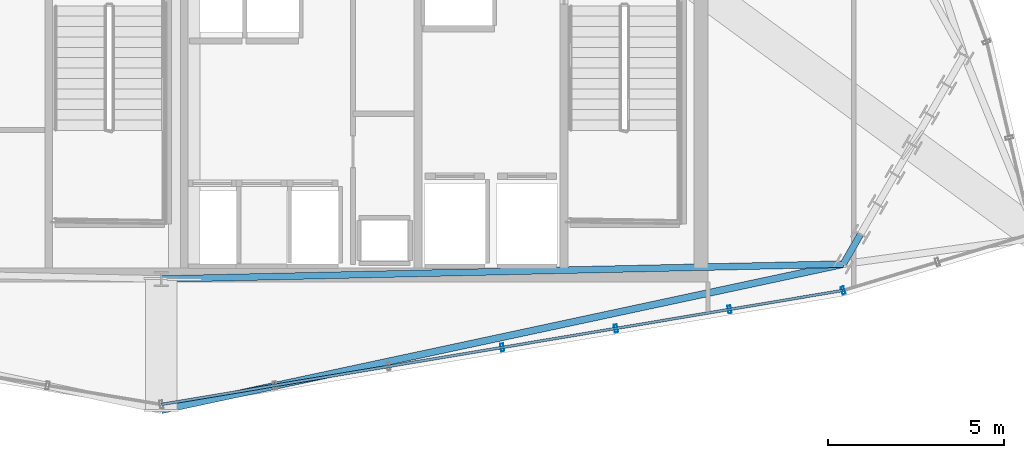
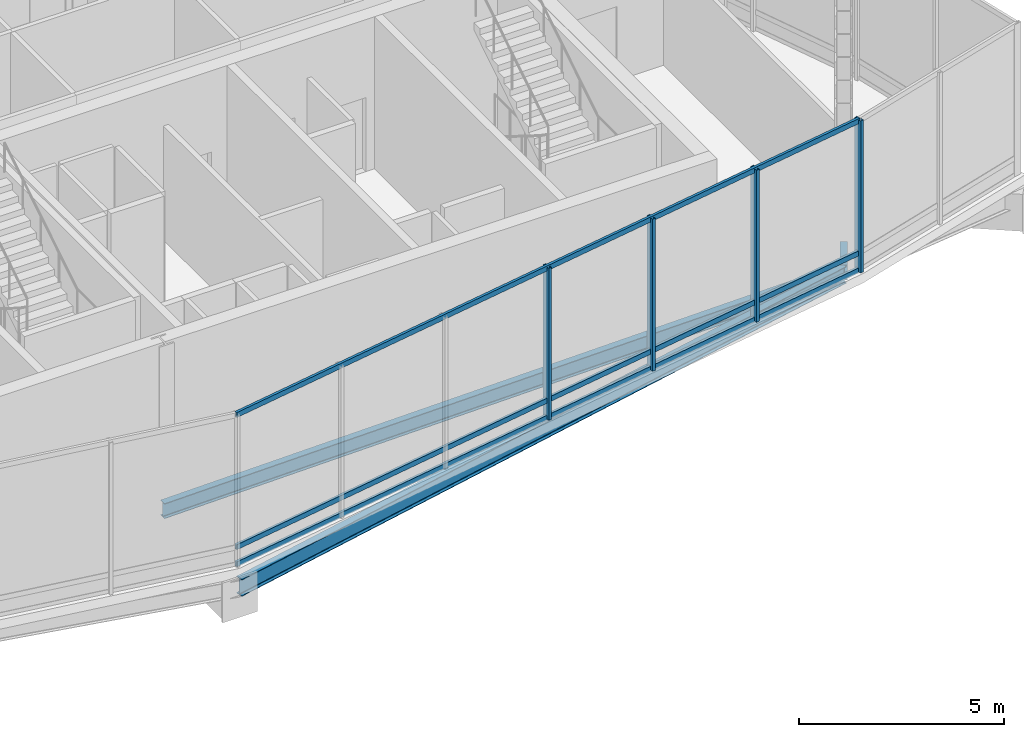
# One storey, part 9 of 29: 7 members, 3 beams, 2 elements without a shape of their own.
"""IFC4 building model written with IfcOpenShell, lengths in metres."""

from ifc_helpers import new_model, si_unit, direction, frame, origin, origin_2d, place, context, subcontext, project, spatial, hollow_rectangle, i_section, extrude, material, layer, layer_set, material_profile, profile_set, type_object, element, aggregate, save


model = new_model("IFC4")

# Units and contexts
model_context = context("Model", 3, precision=1e-05, world=origin(), true_north=direction((0.0, 1.0)))
body_context = subcontext(model_context, "Body", "Model", "MODEL_VIEW")
ifc_project = project(units=[si_unit("LENGTHUNIT", "METRE"), si_unit("AREAUNIT", "SQUARE_METRE"), si_unit("VOLUMEUNIT", "CUBIC_METRE"), si_unit("PLANEANGLEUNIT", "RADIAN"), si_unit("MASSUNIT", "GRAM", prefix="KILO")], contexts=[model_context])

# Site, building, storey
site_placement = place(None, origin())
site = spatial("IfcSite", under=ifc_project, at=site_placement, CompositionType="ELEMENT")
building_placement = place(site_placement, origin())
building = spatial("IfcBuilding", under=site, at=building_placement, Name="Ndaravel Arena Tower", CompositionType="ELEMENT")
storey_placement = place(building_placement, frame((0.0, 0.0, 208.39990234375)))
storey = spatial("IfcBuildingStorey", under=building, at=storey_placement, Name="L50", CompositionType="ELEMENT", Elevation=208.39990234375)

# Beams
ifc_material_1 = material(Name="Steel S355", Category="steel")
ifc_material_profile_1 = material_profile(ifc_material_1, i_section(OverallWidth=0.18994140625, OverallDepth=0.449951171875, WebThickness=0.009521484375, FlangeThickness=0.0146484375, FilletRadius=0.02099609375, at=origin_2d()), Name="IPE 450")
ifc_profile_set_1 = profile_set([ifc_material_profile_1], Name="Steel S355")
beam_type_1 = type_object("IfcBeamType", Name="BM-SPAN-IPE450", PredefinedType="SPANDREL", material=ifc_profile_set_1)
beam_1_placement = place(storey_placement, frame((42.0, 5.47998046875, -0.5048828125), z_axis=(0.99976055023, 0.021882463365, 0.0), x_axis=(-0.021882463365, 0.99976055023, 0.0)))
element("IfcBeam", 1, at=beam_1_placement, inside=storey, type_object=beam_type_1, Name="L50 Perimeter Spandrel Beam SP-01", PredefinedType="SPANDREL", context=body_context, shape_type="SweptSolid", body=[
    extrude(i_section(OverallWidth=0.18994140625, OverallDepth=0.449951171875, WebThickness=0.009521484375, FlangeThickness=0.0146484375, FilletRadius=0.02099609375, at=origin_2d()), origin(), (0.0, 0.0, 1.0), 19.40185546875),
])
beam_2_placement = place(storey_placement, frame((61.397216796875, 5.904541015625, -0.5048828125), z_axis=(0.499808686542, 0.866135830489, 0.0), x_axis=(-0.866135830489, 0.499808686542, 0.0)))
element("IfcBeam", 2, at=beam_2_placement, inside=storey, type_object=beam_type_1, Name="L50 Perimeter Spandrel Beam SP-02", PredefinedType="SPANDREL", context=body_context, shape_type="SweptSolid", body=[
    extrude(i_section(OverallWidth=0.18994140625, OverallDepth=0.449951171875, WebThickness=0.009521484375, FlangeThickness=0.0146484375, FilletRadius=0.02099609375, at=origin_2d()), origin(), (0.0, 0.0, 1.0), 0.98046875),
])
ifc_material_2 = material(Name="Steel S355", Category="steel")
ifc_material_profile_2 = material_profile(ifc_material_2, i_section(OverallWidth=0.199951171875, OverallDepth=0.5, WebThickness=0.01025390625, FlangeThickness=0.01611328125, FilletRadius=0.02099609375, at=origin_2d()), Name="IPE 500")
ifc_profile_set_2 = profile_set([ifc_material_profile_2], Name="Steel S355")
beam_type_2 = type_object("IfcBeamType", Name="BM-SPAN-IPE500", PredefinedType="SPANDREL", material=ifc_profile_set_2)
beam_3_placement = place(storey_placement, frame((42.0, 1.75, -0.52978515625), z_axis=(0.977823121497, 0.209432430788, 0.0), x_axis=(-0.209432430788, 0.977823121497, 0.0)))
element("IfcBeam", 3, at=beam_3_placement, inside=storey, type_object=beam_type_2, Name="L50 Star Facet Edge Beam SEB-2", PredefinedType="SPANDREL", context=body_context, shape_type="SweptSolid", body=[
    extrude(i_section(OverallWidth=0.199951171875, OverallDepth=0.5, WebThickness=0.01025390625, FlangeThickness=0.01611328125, FilletRadius=0.02099609375, at=origin_2d()), origin(), (0.0, 0.0, 1.0), 19.837158203125),
])

# Curtain wall, members
ifc_material_3 = material(Name="Aluminium", Category="aluminium")
ifc_layer = layer(ifc_material_3, 0.179931640625)
ifc_layer_set = layer_set([ifc_layer], Name="Aluminium")
curtain_wall_type = type_object("IfcCurtainWallType", Name="CW-SYS-04", PredefinedType="NOTDEFINED", material=ifc_layer_set)
curtain_wall_1_placement = place(storey_placement, origin())
curtain_wall_1 = element("IfcCurtainWall", 4, at=curtain_wall_1_placement, inside=storey, type_object=curtain_wall_type, Name="L50 Faceted Crystal Curtain Wall CW-L50-E03", PredefinedType="NOTDEFINED")
ifc_material_4 = material(Name="Aluminium", Category="aluminium")
ifc_material_profile_3 = material_profile(ifc_material_4, hollow_rectangle(XDim=0.090087890625, YDim=0.219970703125, WallThickness=0.0048828125, at=origin_2d()), Name="CW MULLION 90x220x5")
ifc_profile_set_3 = profile_set([ifc_material_profile_3], Name="Aluminium")
member_type_1 = type_object("IfcMemberType", Name="MEM-CW-MUL220", PredefinedType="MULLION", material=ifc_profile_set_3)
member_1_placement = place(storey_placement, frame((51.6962890625, 3.5341796875, 0.0), z_axis=(0.0, 0.0, 1.0), x_axis=(0.98629712163, 0.164978749734, 0.0)))
member_1 = element("IfcMember", 5, at=member_1_placement, type_object=member_type_1, Name="CW-L50-E03 Mullion 03", PredefinedType="MULLION", context=body_context, shape_type="SweptSolid", body=[
    extrude(hollow_rectangle(XDim=0.090087890625, YDim=0.219970703125, WallThickness=0.0048828125, at=origin_2d()), origin(), (0.0, 0.0, 1.0), 4.52001953125),
])
member_2_placement = place(storey_placement, frame((54.928466796875, 4.07470703125, 0.0), z_axis=(0.0, 0.0, 1.0), x_axis=(0.98629712163, 0.164978749734, 0.0)))
member_2 = element("IfcMember", 6, at=member_2_placement, type_object=member_type_1, Name="CW-L50-E03 Mullion 04", PredefinedType="MULLION", context=body_context, shape_type="SweptSolid", body=[
    extrude(hollow_rectangle(XDim=0.090087890625, YDim=0.219970703125, WallThickness=0.0048828125, at=origin_2d()), origin(), (0.0, 0.0, 1.0), 4.52001953125),
])
member_3_placement = place(storey_placement, frame((58.16064453125, 4.615478515625, 0.0), z_axis=(0.0, 0.0, 1.0), x_axis=(0.98629712163, 0.164978749734, 0.0)))
member_3 = element("IfcMember", 7, at=member_3_placement, type_object=member_type_1, Name="CW-L50-E03 Mullion 05", PredefinedType="MULLION", context=body_context, shape_type="SweptSolid", body=[
    extrude(hollow_rectangle(XDim=0.090087890625, YDim=0.219970703125, WallThickness=0.0048828125, at=origin_2d()), origin(), (0.0, 0.0, 1.0), 4.52001953125),
])

# Curtain wall, member
curtain_wall_2_placement = place(storey_placement, origin())
curtain_wall_2 = element("IfcCurtainWall", 8, at=curtain_wall_2_placement, inside=storey, type_object=curtain_wall_type, Name="L50 Faceted Crystal Curtain Wall CW-L50-E04", PredefinedType="NOTDEFINED")
member_4_placement = place(storey_placement, frame((61.392578125, 5.156005859375, 0.0), z_axis=(0.0, 0.0, 1.0), x_axis=(0.957576390633, 0.288179555317, 0.0)))
member_4 = element("IfcMember", 9, at=member_4_placement, type_object=member_type_1, Name="CW-L50-E04 Mullion 00", PredefinedType="MULLION", context=body_context, shape_type="SweptSolid", body=[
    extrude(hollow_rectangle(XDim=0.090087890625, YDim=0.219970703125, WallThickness=0.0048828125, at=origin_2d()), origin(), (0.0, 0.0, 1.0), 4.52001953125),
])
aggregate(curtain_wall_2, [member_4])

# Member
ifc_material_5 = material(Name="Aluminium", Category="aluminium")
ifc_material_profile_4 = material_profile(ifc_material_5, hollow_rectangle(XDim=0.074951171875, YDim=0.14990234375, WallThickness=0.00390625, at=origin_2d()), Name="CW TRANSOM 75x150x4")
ifc_profile_set_4 = profile_set([ifc_material_profile_4], Name="Aluminium")
member_type_2 = type_object("IfcMemberType", Name="MEM-CW-TRN150", PredefinedType="USERDEFINED", material=ifc_profile_set_4)
member_5_placement = place(storey_placement, frame((42.0, 1.912109375, 0.0400390625), z_axis=(0.986296429619, 0.16498288675, 0.0), x_axis=(-0.16498288675, 0.986296429619, 0.0)))
member_5 = element("IfcMember", 10, at=member_5_placement, type_object=member_type_2, Name="CW-L50-E03 Transom 01", ObjectType="TRANSOM", PredefinedType="USERDEFINED", context=body_context, shape_type="SweptSolid", body=[
    extrude(hollow_rectangle(XDim=0.074951171875, YDim=0.14990234375, WallThickness=0.00390625, at=origin_2d()), origin(), (0.0, 0.0, 1.0), 19.662109375),
])

member_6_placement = place(storey_placement, frame((42.0, 1.912109375, 0.550048828125), z_axis=(0.986296429619, 0.16498288675, 0.0), x_axis=(-0.16498288675, 0.986296429619, 0.0)))
member_6 = element("IfcMember", 11, at=member_6_placement, type_object=member_type_2, Name="CW-L50-E03 Transom 02", ObjectType="TRANSOM", PredefinedType="USERDEFINED", context=body_context, shape_type="SweptSolid", body=[
    extrude(hollow_rectangle(XDim=0.074951171875, YDim=0.14990234375, WallThickness=0.00390625, at=origin_2d()), origin(), (0.0, 0.0, 1.0), 19.662109375),
])

member_7_placement = place(storey_placement, frame((42.0, 1.912109375, 4.47998046875), z_axis=(0.986296429619, 0.16498288675, 0.0), x_axis=(-0.16498288675, 0.986296429619, 0.0)))
member_7 = element("IfcMember", 12, at=member_7_placement, type_object=member_type_2, Name="CW-L50-E03 Transom 03", ObjectType="TRANSOM", PredefinedType="USERDEFINED", context=body_context, shape_type="SweptSolid", body=[
    extrude(hollow_rectangle(XDim=0.074951171875, YDim=0.14990234375, WallThickness=0.00390625, at=origin_2d()), origin(), (0.0, 0.0, 1.0), 19.662109375),
])

aggregate(curtain_wall_1, [member_1, member_2, member_3, member_5, member_6, member_7])

save(model, "model.ifc")
